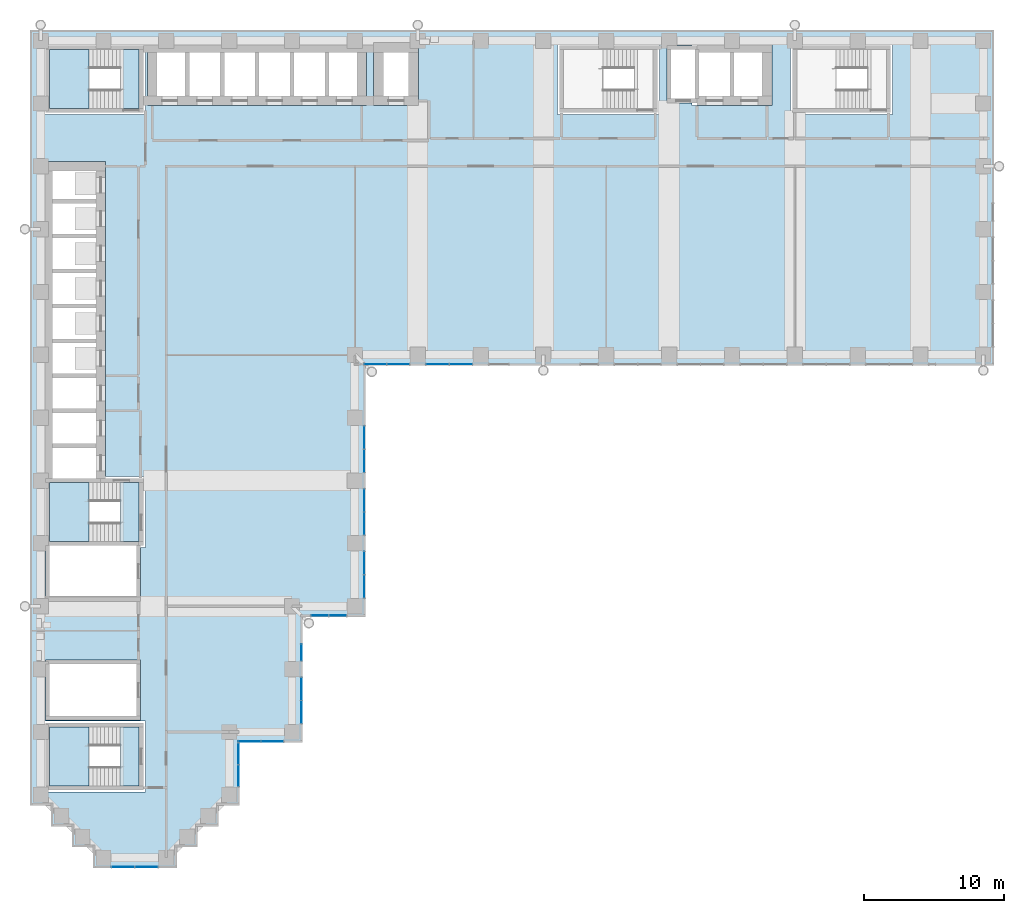
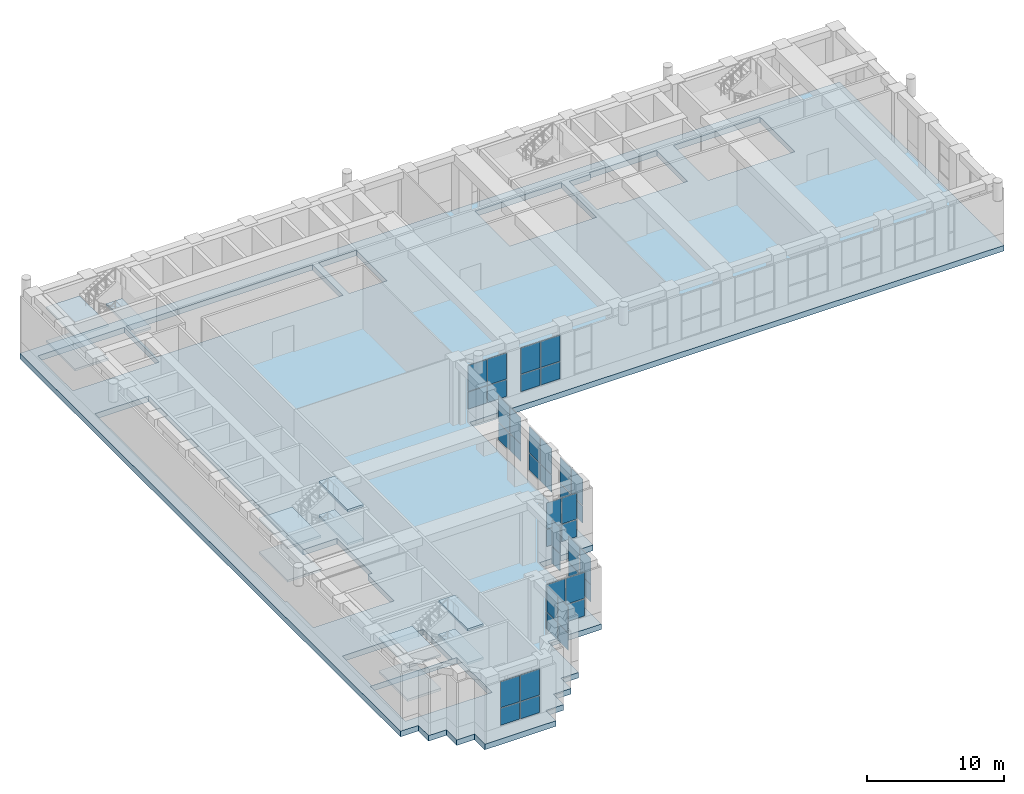
# One storey, part 10 of 22: 42 plates, 12 slabs, 14 elements without a shape of their own.
"""IFC4 building model written with IfcOpenShell, lengths in metres."""

from ifc_helpers import new_model, si_unit, direction, frame, origin, origin_2d, place, context, subcontext, project, spatial, polyline, rectangle, outline, extrude, material, layer, layer_set, type_object, element, aggregate, save


model = new_model("IFC4")

# Units and contexts
model_context = context("Model", 3, precision=1e-05, world=origin(), true_north=direction((0.0, 1.0)))
body_context = subcontext(model_context, "Body", "Model", "MODEL_VIEW")
ifc_project = project(units=[si_unit("LENGTHUNIT", "METRE"), si_unit("AREAUNIT", "SQUARE_METRE"), si_unit("VOLUMEUNIT", "CUBIC_METRE"), si_unit("PLANEANGLEUNIT", "RADIAN"), si_unit("MASSUNIT", "GRAM", prefix="KILO")], contexts=[model_context])

# Site, building, storey
site_placement = place(None, origin())
site = spatial("IfcSite", under=ifc_project, at=site_placement, CompositionType="ELEMENT")
building_placement = place(site_placement, origin())
building = spatial("IfcBuilding", under=site, at=building_placement, Name="Firuza Court", CompositionType="ELEMENT")
storey_placement = place(building_placement, frame((0.0, 0.0, 113.60009765625)))
storey = spatial("IfcBuildingStorey", under=building, at=storey_placement, Name="L28", CompositionType="ELEMENT", Elevation=113.60009765625)

# Slab
ifc_material_1 = material(Name="Concrete C40/50", Category="concrete")
ifc_layer_1 = layer(ifc_material_1, 0.5)
ifc_layer_set_1 = layer_set([ifc_layer_1], Name="Concrete C40/50")
slab_type_1 = type_object("IfcSlabType", Name="Floor slab 500 C40/50", PredefinedType="FLOOR", material=ifc_layer_set_1)
slab_1_placement = place(storey_placement, frame((0.0, 0.0, -0.5)))
element("IfcSlab", 1, at=slab_1_placement, inside=storey, type_object=slab_type_1, Name="Floor slab L28", PredefinedType="FLOOR", context=body_context, shape_type="SweptSolid", body=[
    extrude(outline(polyline([(3.75, -0.75), (3.75, 0.75), (2.25, 0.75), (2.25, 2.25), (0.75, 2.25), (0.75, 3.75), (-0.75, 3.75), (-0.75, 59.25), (68.25, 59.25), (68.25, 35.25), (23.25, 35.25), (23.25, 17.25), (18.75, 17.25), (18.75, 8.25), (14.25, 8.25), (14.25, 3.75), (12.75, 3.75), (12.75, 2.25), (11.25, 2.25), (11.25, 0.75), (9.75, 0.75), (9.75, -0.75), (3.75, -0.75)]), holes=[polyline([(7.14990234375, 14.14990234375), (0.35009765625, 14.14990234375), (0.35009765625, 9.85009765625), (7.14990234375, 9.85009765625), (7.14990234375, 14.14990234375)]), polyline([(0.199951171875, 26.64990234375), (0.199951171875, 22.199951171875), (0.35009765625, 22.199951171875), (0.35009765625, 18.35009765625), (7.14990234375, 18.35009765625), (7.14990234375, 22.199951171875), (7.5, 22.199951171875), (7.5, 27.300048828125), (4.64990234375, 27.300048828125), (4.64990234375, 29.14990234375), (4.64990234375, 29.85009765625), (4.64990234375, 31.64990234375), (4.64990234375, 32.35009765625), (4.64990234375, 34.14990234375), (4.64990234375, 34.85009765625), (4.64990234375, 36.64990234375), (4.64990234375, 37.35009765625), (4.64990234375, 39.14990234375), (4.64990234375, 39.85009765625), (4.64990234375, 41.64990234375), (4.64990234375, 42.35009765625), (4.64990234375, 44.14990234375), (4.64990234375, 44.85009765625), (4.64990234375, 46.64990234375), (4.64990234375, 47.35009765625), (4.64990234375, 49.85009765625), (0.14990234375, 49.85009765625), (0.14990234375, 47.35009765625), (0.14990234375, 46.64990234375), (0.14990234375, 44.85009765625), (0.14990234375, 44.14990234375), (0.14990234375, 42.35009765625), (0.14990234375, 41.64990234375), (0.14990234375, 39.85009765625), (0.14990234375, 39.14990234375), (0.14990234375, 37.35009765625), (0.14990234375, 36.64990234375), (0.14990234375, 34.85009765625), (0.14990234375, 34.14990234375), (0.14990234375, 32.35009765625), (0.14990234375, 31.64990234375), (0.14990234375, 29.85009765625), (0.14990234375, 29.14990234375), (0.14990234375, 26.64990234375), (0.199951171875, 26.64990234375)]), polyline([(7.5, 53.199951171875), (7.5, 58.300048828125), (0.199951171875, 58.300048828125), (0.199951171875, 53.199951171875), (7.5, 53.199951171875)]), polyline([(7.5, 9.800048828125), (0.199951171875, 9.800048828125), (0.199951171875, 4.699951171875), (7.5, 4.699951171875), (7.5, 9.800048828125)]), polyline([(44.300048828125, 53.199951171875), (44.300048828125, 58.300048828125), (37.0, 58.300048828125), (37.0, 53.199951171875), (44.300048828125, 53.199951171875)]), polyline([(61.0, 53.199951171875), (61.0, 58.300048828125), (53.699951171875, 58.300048828125), (53.699951171875, 53.199951171875), (61.0, 53.199951171875)]), polyline([(7.64990234375, 58.35009765625), (7.64990234375, 53.85009765625), (10.14990234375, 53.85009765625), (10.85009765625, 53.85009765625), (12.64990234375, 53.85009765625), (13.35009765625, 53.85009765625), (15.14990234375, 53.85009765625), (15.85009765625, 53.85009765625), (17.64990234375, 53.85009765625), (18.35009765625, 53.85009765625), (20.14990234375, 53.85009765625), (20.85009765625, 53.85009765625), (23.35009765625, 53.85009765625), (23.35009765625, 58.35009765625), (20.85009765625, 58.35009765625), (20.14990234375, 58.35009765625), (18.35009765625, 58.35009765625), (17.64990234375, 58.35009765625), (15.85009765625, 58.35009765625), (15.14990234375, 58.35009765625), (13.35009765625, 58.35009765625), (12.64990234375, 58.35009765625), (10.85009765625, 58.35009765625), (10.14990234375, 58.35009765625), (7.64990234375, 58.35009765625)]), polyline([(27.050048828125, 53.85009765625), (27.050048828125, 58.35009765625), (23.85009765625, 58.35009765625), (23.85009765625, 53.85009765625), (27.050048828125, 53.85009765625)]), polyline([(46.64990234375, 58.35009765625), (46.64990234375, 58.14990234375), (44.85009765625, 58.14990234375), (44.85009765625, 54.050048828125), (46.64990234375, 54.050048828125), (46.64990234375, 53.85009765625), (49.14990234375, 53.85009765625), (49.85009765625, 53.85009765625), (52.35009765625, 53.85009765625), (52.35009765625, 58.35009765625), (49.85009765625, 58.35009765625), (49.14990234375, 58.35009765625), (46.64990234375, 58.35009765625)])]), origin(), (0.0, 0.0, 1.0), 0.5),
])

# Curtain wall, plates
ifc_material_2 = material(Name="Aluminium curtain wall, triple clear glazing", Category="aluminium")
curtain_wall_type = type_object("IfcCurtainWallType", Name="Sky floor unitised curtain wall CW3", PredefinedType="NOTDEFINED", material=ifc_material_2)
curtain_wall_1_placement = place(storey_placement, origin())
curtain_wall_1 = element("IfcCurtainWall", 2, at=curtain_wall_1_placement, inside=storey, type_object=curtain_wall_type, Name="Sky floor unitised curtain wall CW3 L28", PredefinedType="NOTDEFINED")
ifc_material_3 = material(Name="Triple clear glazing", Category="glass")
ifc_layer_2 = layer(ifc_material_3, 0.031982421875)
ifc_layer_set_2 = layer_set([ifc_layer_2], Name="Triple clear glazing")
plate_type = type_object("IfcPlateType", Name="Glazed panel 32 CW3", PredefinedType="CURTAIN_PANEL", material=ifc_layer_set_2)
plate_1_placement = place(storey_placement, frame((14.169921875, 5.864990234375, 1.15966796875), z_axis=(0.0, 0.0, 1.0), x_axis=(0.0, 1.0, 0.0)))
plate_1 = element("IfcPlate", 3, at=plate_1_placement, type_object=plate_type, Name="CW3 panel 1.1", PredefinedType="CURTAIN_PANEL", context=body_context, shape_type="SweptSolid", body=[
    extrude(rectangle(XDim=1.510009765625, YDim=0.031982421875, at=origin_2d()), origin(), (0.0, 0.0, 1.0), 1.510009765625),
])
plate_2_placement = place(storey_placement, frame((14.169921875, 5.864990234375, 2.72998046875), z_axis=(0.0, 0.0, 1.0), x_axis=(0.0, 1.0, 0.0)))
plate_2 = element("IfcPlate", 4, at=plate_2_placement, type_object=plate_type, Name="CW3 panel 1.2", PredefinedType="CURTAIN_PANEL", context=body_context, shape_type="SweptSolid", body=[
    extrude(rectangle(XDim=1.510009765625, YDim=0.031982421875, at=origin_2d()), origin(), (0.0, 0.0, 1.0), 2.31005859375),
])
plate_3_placement = place(storey_placement, frame((14.169921875, 7.43505859375, 1.15966796875), z_axis=(0.0, 0.0, 1.0), x_axis=(0.0, 1.0, 0.0)))
plate_3 = element("IfcPlate", 5, at=plate_3_placement, type_object=plate_type, Name="CW3 panel 2.1", PredefinedType="CURTAIN_PANEL", context=body_context, shape_type="SweptSolid", body=[
    extrude(rectangle(XDim=1.510009765625, YDim=0.031982421875, at=origin_2d()), origin(), (0.0, 0.0, 1.0), 1.510009765625),
])
plate_4_placement = place(storey_placement, frame((14.169921875, 7.43505859375, 2.72998046875), z_axis=(0.0, 0.0, 1.0), x_axis=(0.0, 1.0, 0.0)))
plate_4 = element("IfcPlate", 6, at=plate_4_placement, type_object=plate_type, Name="CW3 panel 2.2", PredefinedType="CURTAIN_PANEL", context=body_context, shape_type="SweptSolid", body=[
    extrude(rectangle(XDim=1.510009765625, YDim=0.031982421875, at=origin_2d()), origin(), (0.0, 0.0, 1.0), 2.31005859375),
])
aggregate(curtain_wall_1, [plate_1, plate_2, plate_3, plate_4])

curtain_wall_2_placement = place(storey_placement, origin())
curtain_wall_2 = element("IfcCurtainWall", 7, at=curtain_wall_2_placement, inside=storey, type_object=curtain_wall_type, Name="Sky floor unitised curtain wall CW3 L28", PredefinedType="NOTDEFINED")
plate_5_placement = place(storey_placement, frame((14.952392578125, 8.330078125, 1.15966796875), z_axis=(0.0, 0.0, 1.0), x_axis=(1.0, 0.0, 0.0)))
plate_5 = element("IfcPlate", 8, at=plate_5_placement, type_object=plate_type, Name="CW3 panel 1.1", PredefinedType="CURTAIN_PANEL", context=body_context, shape_type="SweptSolid", body=[
    extrude(rectangle(XDim=1.5849609375, YDim=0.031982421875, at=origin_2d()), origin(), (0.0, 0.0, 1.0), 1.510009765625),
])
plate_6_placement = place(storey_placement, frame((14.952392578125, 8.330078125, 2.72998046875), z_axis=(0.0, 0.0, 1.0), x_axis=(1.0, 0.0, 0.0)))
plate_6 = element("IfcPlate", 9, at=plate_6_placement, type_object=plate_type, Name="CW3 panel 1.2", PredefinedType="CURTAIN_PANEL", context=body_context, shape_type="SweptSolid", body=[
    extrude(rectangle(XDim=1.5849609375, YDim=0.031982421875, at=origin_2d()), origin(), (0.0, 0.0, 1.0), 2.31005859375),
])
plate_7_placement = place(storey_placement, frame((16.597412109375, 8.330078125, 1.15966796875), z_axis=(0.0, 0.0, 1.0), x_axis=(1.0, 0.0, 0.0)))
plate_7 = element("IfcPlate", 10, at=plate_7_placement, type_object=plate_type, Name="CW3 panel 2.1", PredefinedType="CURTAIN_PANEL", context=body_context, shape_type="SweptSolid", body=[
    extrude(rectangle(XDim=1.5849609375, YDim=0.031982421875, at=origin_2d()), origin(), (0.0, 0.0, 1.0), 1.510009765625),
])
plate_8_placement = place(storey_placement, frame((16.597412109375, 8.330078125, 2.72998046875), z_axis=(0.0, 0.0, 1.0), x_axis=(1.0, 0.0, 0.0)))
plate_8 = element("IfcPlate", 11, at=plate_8_placement, type_object=plate_type, Name="CW3 panel 2.2", PredefinedType="CURTAIN_PANEL", context=body_context, shape_type="SweptSolid", body=[
    extrude(rectangle(XDim=1.5849609375, YDim=0.031982421875, at=origin_2d()), origin(), (0.0, 0.0, 1.0), 2.31005859375),
])
aggregate(curtain_wall_2, [plate_5, plate_6, plate_7, plate_8])

curtain_wall_3_placement = place(storey_placement, origin())
curtain_wall_3 = element("IfcCurtainWall", 12, at=curtain_wall_3_placement, inside=storey, type_object=curtain_wall_type, Name="Sky floor unitised curtain wall CW3 L28", PredefinedType="NOTDEFINED")
plate_9_placement = place(storey_placement, frame((18.669921875, 10.4150390625, 1.15966796875), z_axis=(0.0, 0.0, 1.0), x_axis=(0.0, 1.0, 0.0)))
plate_9 = element("IfcPlate", 13, at=plate_9_placement, type_object=plate_type, Name="CW3 panel 1.1", PredefinedType="CURTAIN_PANEL", context=body_context, shape_type="SweptSolid", body=[
    extrude(rectangle(XDim=1.610107421875, YDim=0.031982421875, at=origin_2d()), origin(), (0.0, 0.0, 1.0), 1.510009765625),
])
plate_10_placement = place(storey_placement, frame((18.669921875, 10.4150390625, 2.72998046875), z_axis=(0.0, 0.0, 1.0), x_axis=(0.0, 1.0, 0.0)))
plate_10 = element("IfcPlate", 14, at=plate_10_placement, type_object=plate_type, Name="CW3 panel 1.2", PredefinedType="CURTAIN_PANEL", context=body_context, shape_type="SweptSolid", body=[
    extrude(rectangle(XDim=1.610107421875, YDim=0.031982421875, at=origin_2d()), origin(), (0.0, 0.0, 1.0), 2.31005859375),
])
plate_11_placement = place(storey_placement, frame((18.669921875, 12.0849609375, 1.15966796875), z_axis=(0.0, 0.0, 1.0), x_axis=(0.0, 1.0, 0.0)))
plate_11 = element("IfcPlate", 15, at=plate_11_placement, type_object=plate_type, Name="CW3 panel 2.1", PredefinedType="CURTAIN_PANEL", context=body_context, shape_type="SweptSolid", body=[
    extrude(rectangle(XDim=1.610107421875, YDim=0.031982421875, at=origin_2d()), origin(), (0.0, 0.0, 1.0), 1.510009765625),
])
plate_12_placement = place(storey_placement, frame((18.669921875, 12.0849609375, 2.72998046875), z_axis=(0.0, 0.0, 1.0), x_axis=(0.0, 1.0, 0.0)))
plate_12 = element("IfcPlate", 16, at=plate_12_placement, type_object=plate_type, Name="CW3 panel 2.2", PredefinedType="CURTAIN_PANEL", context=body_context, shape_type="SweptSolid", body=[
    extrude(rectangle(XDim=1.610107421875, YDim=0.031982421875, at=origin_2d()), origin(), (0.0, 0.0, 1.0), 2.31005859375),
])
aggregate(curtain_wall_3, [plate_9, plate_10, plate_11, plate_12])

curtain_wall_4_placement = place(storey_placement, origin())
curtain_wall_4 = element("IfcCurtainWall", 17, at=curtain_wall_4_placement, inside=storey, type_object=curtain_wall_type, Name="Sky floor unitised curtain wall CW3 L28", PredefinedType="NOTDEFINED")
plate_13_placement = place(storey_placement, frame((18.669921875, 14.68896484375, 1.15966796875), z_axis=(0.0, 0.0, 1.0), x_axis=(0.0, 1.0, 0.0)))
plate_13 = element("IfcPlate", 18, at=plate_13_placement, type_object=plate_type, Name="CW3 panel 1.1", PredefinedType="CURTAIN_PANEL", context=body_context, shape_type="SweptSolid", body=[
    extrude(rectangle(XDim=1.15771484375, YDim=0.031982421875, at=origin_2d()), origin(), (0.0, 0.0, 1.0), 1.510009765625),
])
plate_14_placement = place(storey_placement, frame((18.669921875, 14.68896484375, 2.72998046875), z_axis=(0.0, 0.0, 1.0), x_axis=(0.0, 1.0, 0.0)))
plate_14 = element("IfcPlate", 19, at=plate_14_placement, type_object=plate_type, Name="CW3 panel 1.2", PredefinedType="CURTAIN_PANEL", context=body_context, shape_type="SweptSolid", body=[
    extrude(rectangle(XDim=1.15771484375, YDim=0.031982421875, at=origin_2d()), origin(), (0.0, 0.0, 1.0), 2.31005859375),
])
aggregate(curtain_wall_4, [plate_13, plate_14])

curtain_wall_5_placement = place(storey_placement, origin())
curtain_wall_5 = element("IfcCurtainWall", 20, at=curtain_wall_5_placement, inside=storey, type_object=curtain_wall_type, Name="Sky floor unitised curtain wall CW3 L28", PredefinedType="NOTDEFINED")
plate_15_placement = place(storey_placement, frame((19.9873046875, 17.330078125, 1.15966796875), z_axis=(0.0, 0.0, 1.0), x_axis=(1.0, 0.0, 0.0)))
plate_15 = element("IfcPlate", 21, at=plate_15_placement, type_object=plate_type, Name="CW3 panel 1.1", PredefinedType="CURTAIN_PANEL", context=body_context, shape_type="SweptSolid", body=[
    extrude(rectangle(XDim=1.228515625, YDim=0.031982421875, at=origin_2d()), origin(), (0.0, 0.0, 1.0), 1.510009765625),
])
plate_16_placement = place(storey_placement, frame((19.9873046875, 17.330078125, 2.72998046875), z_axis=(0.0, 0.0, 1.0), x_axis=(1.0, 0.0, 0.0)))
plate_16 = element("IfcPlate", 22, at=plate_16_placement, type_object=plate_type, Name="CW3 panel 1.2", PredefinedType="CURTAIN_PANEL", context=body_context, shape_type="SweptSolid", body=[
    extrude(rectangle(XDim=1.228515625, YDim=0.031982421875, at=origin_2d()), origin(), (0.0, 0.0, 1.0), 2.31005859375),
])
plate_17_placement = place(storey_placement, frame((21.275634765625, 17.330078125, 1.15966796875), z_axis=(0.0, 0.0, 1.0), x_axis=(1.0, 0.0, 0.0)))
plate_17 = element("IfcPlate", 23, at=plate_17_placement, type_object=plate_type, Name="CW3 panel 2.1", PredefinedType="CURTAIN_PANEL", context=body_context, shape_type="SweptSolid", body=[
    extrude(rectangle(XDim=1.228515625, YDim=0.031982421875, at=origin_2d()), origin(), (0.0, 0.0, 1.0), 1.510009765625),
])
plate_18_placement = place(storey_placement, frame((21.275634765625, 17.330078125, 2.72998046875), z_axis=(0.0, 0.0, 1.0), x_axis=(1.0, 0.0, 0.0)))
plate_18 = element("IfcPlate", 24, at=plate_18_placement, type_object=plate_type, Name="CW3 panel 2.2", PredefinedType="CURTAIN_PANEL", context=body_context, shape_type="SweptSolid", body=[
    extrude(rectangle(XDim=1.228515625, YDim=0.031982421875, at=origin_2d()), origin(), (0.0, 0.0, 1.0), 2.31005859375),
])
aggregate(curtain_wall_5, [plate_15, plate_16, plate_17, plate_18])

curtain_wall_6_placement = place(storey_placement, origin())
curtain_wall_6 = element("IfcCurtainWall", 25, at=curtain_wall_6_placement, inside=storey, type_object=curtain_wall_type, Name="Sky floor unitised curtain wall CW3 L28", PredefinedType="NOTDEFINED")
plate_19_placement = place(storey_placement, frame((23.169921875, 19.4150390625, 1.15966796875), z_axis=(0.0, 0.0, 1.0), x_axis=(0.0, 1.0, 0.0)))
plate_19 = element("IfcPlate", 26, at=plate_19_placement, type_object=plate_type, Name="CW3 panel 1.1", PredefinedType="CURTAIN_PANEL", context=body_context, shape_type="SweptSolid", body=[
    extrude(rectangle(XDim=1.610107421875, YDim=0.031982421875, at=origin_2d()), origin(), (0.0, 0.0, 1.0), 1.510009765625),
])
plate_20_placement = place(storey_placement, frame((23.169921875, 19.4150390625, 2.72998046875), z_axis=(0.0, 0.0, 1.0), x_axis=(0.0, 1.0, 0.0)))
plate_20 = element("IfcPlate", 27, at=plate_20_placement, type_object=plate_type, Name="CW3 panel 1.2", PredefinedType="CURTAIN_PANEL", context=body_context, shape_type="SweptSolid", body=[
    extrude(rectangle(XDim=1.610107421875, YDim=0.031982421875, at=origin_2d()), origin(), (0.0, 0.0, 1.0), 2.31005859375),
])
plate_21_placement = place(storey_placement, frame((23.169921875, 21.0849609375, 1.15966796875), z_axis=(0.0, 0.0, 1.0), x_axis=(0.0, 1.0, 0.0)))
plate_21 = element("IfcPlate", 28, at=plate_21_placement, type_object=plate_type, Name="CW3 panel 2.1", PredefinedType="CURTAIN_PANEL", context=body_context, shape_type="SweptSolid", body=[
    extrude(rectangle(XDim=1.610107421875, YDim=0.031982421875, at=origin_2d()), origin(), (0.0, 0.0, 1.0), 1.510009765625),
])
plate_22_placement = place(storey_placement, frame((23.169921875, 21.0849609375, 2.72998046875), z_axis=(0.0, 0.0, 1.0), x_axis=(0.0, 1.0, 0.0)))
plate_22 = element("IfcPlate", 29, at=plate_22_placement, type_object=plate_type, Name="CW3 panel 2.2", PredefinedType="CURTAIN_PANEL", context=body_context, shape_type="SweptSolid", body=[
    extrude(rectangle(XDim=1.610107421875, YDim=0.031982421875, at=origin_2d()), origin(), (0.0, 0.0, 1.0), 2.31005859375),
])
aggregate(curtain_wall_6, [plate_19, plate_20, plate_21, plate_22])

curtain_wall_7_placement = place(storey_placement, origin())
curtain_wall_7 = element("IfcCurtainWall", 30, at=curtain_wall_7_placement, inside=storey, type_object=curtain_wall_type, Name="Sky floor unitised curtain wall CW3 L28", PredefinedType="NOTDEFINED")
plate_23_placement = place(storey_placement, frame((23.169921875, 23.9150390625, 1.15966796875), z_axis=(0.0, 0.0, 1.0), x_axis=(0.0, 1.0, 0.0)))
plate_23 = element("IfcPlate", 31, at=plate_23_placement, type_object=plate_type, Name="CW3 panel 1.1", PredefinedType="CURTAIN_PANEL", context=body_context, shape_type="SweptSolid", body=[
    extrude(rectangle(XDim=1.610107421875, YDim=0.031982421875, at=origin_2d()), origin(), (0.0, 0.0, 1.0), 1.510009765625),
])
plate_24_placement = place(storey_placement, frame((23.169921875, 23.9150390625, 2.72998046875), z_axis=(0.0, 0.0, 1.0), x_axis=(0.0, 1.0, 0.0)))
plate_24 = element("IfcPlate", 32, at=plate_24_placement, type_object=plate_type, Name="CW3 panel 1.2", PredefinedType="CURTAIN_PANEL", context=body_context, shape_type="SweptSolid", body=[
    extrude(rectangle(XDim=1.610107421875, YDim=0.031982421875, at=origin_2d()), origin(), (0.0, 0.0, 1.0), 2.31005859375),
])
plate_25_placement = place(storey_placement, frame((23.169921875, 25.5849609375, 1.15966796875), z_axis=(0.0, 0.0, 1.0), x_axis=(0.0, 1.0, 0.0)))
plate_25 = element("IfcPlate", 33, at=plate_25_placement, type_object=plate_type, Name="CW3 panel 2.1", PredefinedType="CURTAIN_PANEL", context=body_context, shape_type="SweptSolid", body=[
    extrude(rectangle(XDim=1.610107421875, YDim=0.031982421875, at=origin_2d()), origin(), (0.0, 0.0, 1.0), 1.510009765625),
])
plate_26_placement = place(storey_placement, frame((23.169921875, 25.5849609375, 2.72998046875), z_axis=(0.0, 0.0, 1.0), x_axis=(0.0, 1.0, 0.0)))
plate_26 = element("IfcPlate", 34, at=plate_26_placement, type_object=plate_type, Name="CW3 panel 2.2", PredefinedType="CURTAIN_PANEL", context=body_context, shape_type="SweptSolid", body=[
    extrude(rectangle(XDim=1.610107421875, YDim=0.031982421875, at=origin_2d()), origin(), (0.0, 0.0, 1.0), 2.31005859375),
])
aggregate(curtain_wall_7, [plate_23, plate_24, plate_25, plate_26])

curtain_wall_8_placement = place(storey_placement, origin())
curtain_wall_8 = element("IfcCurtainWall", 35, at=curtain_wall_8_placement, inside=storey, type_object=curtain_wall_type, Name="Sky floor unitised curtain wall CW3 L28", PredefinedType="NOTDEFINED")
plate_27_placement = place(storey_placement, frame((23.169921875, 28.4150390625, 1.15966796875), z_axis=(0.0, 0.0, 1.0), x_axis=(0.0, 1.0, 0.0)))
plate_27 = element("IfcPlate", 36, at=plate_27_placement, type_object=plate_type, Name="CW3 panel 1.1", PredefinedType="CURTAIN_PANEL", context=body_context, shape_type="SweptSolid", body=[
    extrude(rectangle(XDim=1.610107421875, YDim=0.031982421875, at=origin_2d()), origin(), (0.0, 0.0, 1.0), 1.510009765625),
])
plate_28_placement = place(storey_placement, frame((23.169921875, 28.4150390625, 2.72998046875), z_axis=(0.0, 0.0, 1.0), x_axis=(0.0, 1.0, 0.0)))
plate_28 = element("IfcPlate", 37, at=plate_28_placement, type_object=plate_type, Name="CW3 panel 1.2", PredefinedType="CURTAIN_PANEL", context=body_context, shape_type="SweptSolid", body=[
    extrude(rectangle(XDim=1.610107421875, YDim=0.031982421875, at=origin_2d()), origin(), (0.0, 0.0, 1.0), 2.31005859375),
])
plate_29_placement = place(storey_placement, frame((23.169921875, 30.0849609375, 1.15966796875), z_axis=(0.0, 0.0, 1.0), x_axis=(0.0, 1.0, 0.0)))
plate_29 = element("IfcPlate", 38, at=plate_29_placement, type_object=plate_type, Name="CW3 panel 2.1", PredefinedType="CURTAIN_PANEL", context=body_context, shape_type="SweptSolid", body=[
    extrude(rectangle(XDim=1.610107421875, YDim=0.031982421875, at=origin_2d()), origin(), (0.0, 0.0, 1.0), 1.510009765625),
])
plate_30_placement = place(storey_placement, frame((23.169921875, 30.0849609375, 2.72998046875), z_axis=(0.0, 0.0, 1.0), x_axis=(0.0, 1.0, 0.0)))
plate_30 = element("IfcPlate", 39, at=plate_30_placement, type_object=plate_type, Name="CW3 panel 2.2", PredefinedType="CURTAIN_PANEL", context=body_context, shape_type="SweptSolid", body=[
    extrude(rectangle(XDim=1.610107421875, YDim=0.031982421875, at=origin_2d()), origin(), (0.0, 0.0, 1.0), 2.31005859375),
])
aggregate(curtain_wall_8, [plate_27, plate_28, plate_29, plate_30])

curtain_wall_9_placement = place(storey_placement, origin())
curtain_wall_9 = element("IfcCurtainWall", 40, at=curtain_wall_9_placement, inside=storey, type_object=curtain_wall_type, Name="Sky floor unitised curtain wall CW3 L28", PredefinedType="NOTDEFINED")
plate_31_placement = place(storey_placement, frame((23.952392578125, 35.330078125, 1.15966796875), z_axis=(0.0, 0.0, 1.0), x_axis=(1.0, 0.0, 0.0)))
plate_31 = element("IfcPlate", 41, at=plate_31_placement, type_object=plate_type, Name="CW3 panel 1.1", PredefinedType="CURTAIN_PANEL", context=body_context, shape_type="SweptSolid", body=[
    extrude(rectangle(XDim=1.5849609375, YDim=0.031982421875, at=origin_2d()), origin(), (0.0, 0.0, 1.0), 1.510009765625),
])
plate_32_placement = place(storey_placement, frame((23.952392578125, 35.330078125, 2.72998046875), z_axis=(0.0, 0.0, 1.0), x_axis=(1.0, 0.0, 0.0)))
plate_32 = element("IfcPlate", 42, at=plate_32_placement, type_object=plate_type, Name="CW3 panel 1.2", PredefinedType="CURTAIN_PANEL", context=body_context, shape_type="SweptSolid", body=[
    extrude(rectangle(XDim=1.5849609375, YDim=0.031982421875, at=origin_2d()), origin(), (0.0, 0.0, 1.0), 2.31005859375),
])
plate_33_placement = place(storey_placement, frame((25.597412109375, 35.330078125, 1.15966796875), z_axis=(0.0, 0.0, 1.0), x_axis=(1.0, 0.0, 0.0)))
plate_33 = element("IfcPlate", 43, at=plate_33_placement, type_object=plate_type, Name="CW3 panel 2.1", PredefinedType="CURTAIN_PANEL", context=body_context, shape_type="SweptSolid", body=[
    extrude(rectangle(XDim=1.5849609375, YDim=0.031982421875, at=origin_2d()), origin(), (0.0, 0.0, 1.0), 1.510009765625),
])
plate_34_placement = place(storey_placement, frame((25.597412109375, 35.330078125, 2.72998046875), z_axis=(0.0, 0.0, 1.0), x_axis=(1.0, 0.0, 0.0)))
plate_34 = element("IfcPlate", 44, at=plate_34_placement, type_object=plate_type, Name="CW3 panel 2.2", PredefinedType="CURTAIN_PANEL", context=body_context, shape_type="SweptSolid", body=[
    extrude(rectangle(XDim=1.5849609375, YDim=0.031982421875, at=origin_2d()), origin(), (0.0, 0.0, 1.0), 2.31005859375),
])
aggregate(curtain_wall_9, [plate_31, plate_32, plate_33, plate_34])

curtain_wall_10_placement = place(storey_placement, origin())
curtain_wall_10 = element("IfcCurtainWall", 45, at=curtain_wall_10_placement, inside=storey, type_object=curtain_wall_type, Name="Sky floor unitised curtain wall CW3 L28", PredefinedType="NOTDEFINED")
plate_35_placement = place(storey_placement, frame((28.4150390625, 35.330078125, 1.15966796875), z_axis=(0.0, 0.0, 1.0), x_axis=(1.0, 0.0, 0.0)))
plate_35 = element("IfcPlate", 46, at=plate_35_placement, type_object=plate_type, Name="CW3 panel 1.1", PredefinedType="CURTAIN_PANEL", context=body_context, shape_type="SweptSolid", body=[
    extrude(rectangle(XDim=1.610107421875, YDim=0.031982421875, at=origin_2d()), origin(), (0.0, 0.0, 1.0), 1.510009765625),
])
plate_36_placement = place(storey_placement, frame((28.4150390625, 35.330078125, 2.72998046875), z_axis=(0.0, 0.0, 1.0), x_axis=(1.0, 0.0, 0.0)))
plate_36 = element("IfcPlate", 47, at=plate_36_placement, type_object=plate_type, Name="CW3 panel 1.2", PredefinedType="CURTAIN_PANEL", context=body_context, shape_type="SweptSolid", body=[
    extrude(rectangle(XDim=1.610107421875, YDim=0.031982421875, at=origin_2d()), origin(), (0.0, 0.0, 1.0), 2.31005859375),
])
plate_37_placement = place(storey_placement, frame((30.0849609375, 35.330078125, 1.15966796875), z_axis=(0.0, 0.0, 1.0), x_axis=(1.0, 0.0, 0.0)))
plate_37 = element("IfcPlate", 48, at=plate_37_placement, type_object=plate_type, Name="CW3 panel 2.1", PredefinedType="CURTAIN_PANEL", context=body_context, shape_type="SweptSolid", body=[
    extrude(rectangle(XDim=1.610107421875, YDim=0.031982421875, at=origin_2d()), origin(), (0.0, 0.0, 1.0), 1.510009765625),
])
plate_38_placement = place(storey_placement, frame((30.0849609375, 35.330078125, 2.72998046875), z_axis=(0.0, 0.0, 1.0), x_axis=(1.0, 0.0, 0.0)))
plate_38 = element("IfcPlate", 49, at=plate_38_placement, type_object=plate_type, Name="CW3 panel 2.2", PredefinedType="CURTAIN_PANEL", context=body_context, shape_type="SweptSolid", body=[
    extrude(rectangle(XDim=1.610107421875, YDim=0.031982421875, at=origin_2d()), origin(), (0.0, 0.0, 1.0), 2.31005859375),
])
aggregate(curtain_wall_10, [plate_35, plate_36, plate_37, plate_38])

curtain_wall_11_placement = place(storey_placement, origin())
curtain_wall_11 = element("IfcCurtainWall", 50, at=curtain_wall_11_placement, inside=storey, type_object=curtain_wall_type, Name="Sky floor unitised curtain wall CW3 L28", PredefinedType="NOTDEFINED")
plate_39_placement = place(storey_placement, frame((5.9150390625, -0.669921875, 1.15966796875), z_axis=(0.0, 0.0, 1.0), x_axis=(1.0, 0.0, 0.0)))
plate_39 = element("IfcPlate", 51, at=plate_39_placement, type_object=plate_type, Name="CW3 panel 1.1", PredefinedType="CURTAIN_PANEL", context=body_context, shape_type="SweptSolid", body=[
    extrude(rectangle(XDim=1.610107421875, YDim=0.031982421875, at=origin_2d()), origin(), (0.0, 0.0, 1.0), 1.510009765625),
])
plate_40_placement = place(storey_placement, frame((5.9150390625, -0.669921875, 2.72998046875), z_axis=(0.0, 0.0, 1.0), x_axis=(1.0, 0.0, 0.0)))
plate_40 = element("IfcPlate", 52, at=plate_40_placement, type_object=plate_type, Name="CW3 panel 1.2", PredefinedType="CURTAIN_PANEL", context=body_context, shape_type="SweptSolid", body=[
    extrude(rectangle(XDim=1.610107421875, YDim=0.031982421875, at=origin_2d()), origin(), (0.0, 0.0, 1.0), 2.31005859375),
])
plate_41_placement = place(storey_placement, frame((7.5849609375, -0.669921875, 1.15966796875), z_axis=(0.0, 0.0, 1.0), x_axis=(1.0, 0.0, 0.0)))
plate_41 = element("IfcPlate", 53, at=plate_41_placement, type_object=plate_type, Name="CW3 panel 2.1", PredefinedType="CURTAIN_PANEL", context=body_context, shape_type="SweptSolid", body=[
    extrude(rectangle(XDim=1.610107421875, YDim=0.031982421875, at=origin_2d()), origin(), (0.0, 0.0, 1.0), 1.510009765625),
])
plate_42_placement = place(storey_placement, frame((7.5849609375, -0.669921875, 2.72998046875), z_axis=(0.0, 0.0, 1.0), x_axis=(1.0, 0.0, 0.0)))
plate_42 = element("IfcPlate", 54, at=plate_42_placement, type_object=plate_type, Name="CW3 panel 2.2", PredefinedType="CURTAIN_PANEL", context=body_context, shape_type="SweptSolid", body=[
    extrude(rectangle(XDim=1.610107421875, YDim=0.031982421875, at=origin_2d()), origin(), (0.0, 0.0, 1.0), 2.31005859375),
])
aggregate(curtain_wall_11, [plate_39, plate_40, plate_41, plate_42])

# Stair, slabs
ifc_material_4 = material(Name="Concrete C40/50 precast", Category="concrete")
stair_type = type_object("IfcStairType", Name="Stair 1350 x 6000 4 flights", PredefinedType="QUARTER_TURN_STAIR", material=ifc_material_4)
stair_1_placement = place(storey_placement, origin())
stair_1 = element("IfcStair", 55, at=stair_1_placement, inside=storey, type_object=stair_type, Name="Stair 2 L28", PredefinedType="QUARTER_TURN_STAIR")
ifc_material_5 = material(Name="Concrete C40/50 precast", Category="concrete")
ifc_layer_3 = layer(ifc_material_5, 0.199951171875)
ifc_layer_set_3 = layer_set([ifc_layer_3], Name="Concrete C40/50 precast")
slab_type_2 = type_object("IfcSlabType", Name="Stair landing 200", PredefinedType="LANDING", material=ifc_layer_set_3)
slab_2_placement = place(storey_placement, frame((0.0, 0.0, 1.2998046875)))
slab_2 = element("IfcSlab", 56, at=slab_2_placement, type_object=slab_type_2, Name="S2 landing 1", PredefinedType="LANDING", context=body_context, shape_type="SweptSolid", body=[
    extrude(outline(polyline([(3.4599609375, 22.64990234375), (3.4599609375, 26.85009765625), (0.64990234375, 26.85009765625), (0.64990234375, 22.64990234375), (3.4599609375, 22.64990234375)])), origin(), (0.0, 0.0, 1.0), 0.2001953125),
])
slab_3_placement = place(storey_placement, frame((0.0, 0.0, 2.7998046875)))
slab_3 = element("IfcSlab", 57, at=slab_3_placement, type_object=slab_type_2, Name="S2 landing 2", PredefinedType="LANDING", context=body_context, shape_type="SweptSolid", body=[
    extrude(outline(polyline([(7.050048828125, 22.64990234375), (7.050048828125, 26.85009765625), (5.699951171875, 26.85009765625), (5.699951171875, 22.64990234375), (7.050048828125, 22.64990234375)])), origin(), (0.0, 0.0, 1.0), 0.2001953125),
])
slab_4_placement = place(storey_placement, frame((0.0, 0.0, 4.2998046875)))
slab_4 = element("IfcSlab", 58, at=slab_4_placement, type_object=slab_type_2, Name="S2 landing 3", PredefinedType="LANDING", context=body_context, shape_type="SweptSolid", body=[
    extrude(outline(polyline([(3.4599609375, 22.64990234375), (3.4599609375, 26.85009765625), (0.64990234375, 26.85009765625), (0.64990234375, 22.64990234375), (3.4599609375, 22.64990234375)])), origin(), (0.0, 0.0, 1.0), 0.2001953125),
])
slab_5_placement = place(storey_placement, frame((0.0, 0.0, 5.7998046875)))
slab_5 = element("IfcSlab", 59, at=slab_5_placement, type_object=slab_type_2, Name="S2 landing 4", PredefinedType="LANDING", context=body_context, shape_type="SweptSolid", body=[
    extrude(outline(polyline([(7.050048828125, 22.64990234375), (7.050048828125, 26.85009765625), (5.699951171875, 26.85009765625), (5.699951171875, 22.64990234375), (7.050048828125, 22.64990234375)])), origin(), (0.0, 0.0, 1.0), 0.2001953125),
])
aggregate(stair_1, [slab_2, slab_3, slab_4, slab_5])

stair_2_placement = place(storey_placement, origin())
stair_2 = element("IfcStair", 60, at=stair_2_placement, inside=storey, type_object=stair_type, Name="Stair 3 L28", PredefinedType="QUARTER_TURN_STAIR")
slab_6_placement = place(storey_placement, frame((0.0, 0.0, 1.2998046875)))
slab_6 = element("IfcSlab", 61, at=slab_6_placement, type_object=slab_type_2, Name="S3 landing 1", PredefinedType="LANDING", context=body_context, shape_type="SweptSolid", body=[
    extrude(outline(polyline([(3.4599609375, 53.64990234375), (3.4599609375, 57.85009765625), (0.64990234375, 57.85009765625), (0.64990234375, 53.64990234375), (3.4599609375, 53.64990234375)])), origin(), (0.0, 0.0, 1.0), 0.2001953125),
])
slab_7_placement = place(storey_placement, frame((0.0, 0.0, 2.7998046875)))
slab_7 = element("IfcSlab", 62, at=slab_7_placement, type_object=slab_type_2, Name="S3 landing 2", PredefinedType="LANDING", context=body_context, shape_type="SweptSolid", body=[
    extrude(outline(polyline([(7.050048828125, 53.64990234375), (7.050048828125, 57.85009765625), (5.699951171875, 57.85009765625), (5.699951171875, 53.64990234375), (7.050048828125, 53.64990234375)])), origin(), (0.0, 0.0, 1.0), 0.2001953125),
])
slab_8_placement = place(storey_placement, frame((0.0, 0.0, 4.2998046875)))
slab_8 = element("IfcSlab", 63, at=slab_8_placement, type_object=slab_type_2, Name="S3 landing 3", PredefinedType="LANDING", context=body_context, shape_type="SweptSolid", body=[
    extrude(outline(polyline([(3.4599609375, 53.64990234375), (3.4599609375, 57.85009765625), (0.64990234375, 57.85009765625), (0.64990234375, 53.64990234375), (3.4599609375, 53.64990234375)])), origin(), (0.0, 0.0, 1.0), 0.2001953125),
])
aggregate(stair_2, [slab_6, slab_7, slab_8])

stair_3_placement = place(storey_placement, origin())
stair_3 = element("IfcStair", 64, at=stair_3_placement, inside=storey, type_object=stair_type, Name="Stair 5 L28", PredefinedType="QUARTER_TURN_STAIR")
slab_9_placement = place(storey_placement, frame((0.0, 0.0, 1.2998046875)))
slab_9 = element("IfcSlab", 65, at=slab_9_placement, type_object=slab_type_2, Name="S5 landing 1", PredefinedType="LANDING", context=body_context, shape_type="SweptSolid", body=[
    extrude(outline(polyline([(3.4599609375, 5.14990234375), (3.4599609375, 9.35009765625), (0.64990234375, 9.35009765625), (0.64990234375, 5.14990234375), (3.4599609375, 5.14990234375)])), origin(), (0.0, 0.0, 1.0), 0.2001953125),
])
slab_10_placement = place(storey_placement, frame((0.0, 0.0, 2.7998046875)))
slab_10 = element("IfcSlab", 66, at=slab_10_placement, type_object=slab_type_2, Name="S5 landing 2", PredefinedType="LANDING", context=body_context, shape_type="SweptSolid", body=[
    extrude(outline(polyline([(7.050048828125, 5.14990234375), (7.050048828125, 9.35009765625), (5.699951171875, 9.35009765625), (5.699951171875, 5.14990234375), (7.050048828125, 5.14990234375)])), origin(), (0.0, 0.0, 1.0), 0.2001953125),
])
slab_11_placement = place(storey_placement, frame((0.0, 0.0, 4.2998046875)))
slab_11 = element("IfcSlab", 67, at=slab_11_placement, type_object=slab_type_2, Name="S5 landing 3", PredefinedType="LANDING", context=body_context, shape_type="SweptSolid", body=[
    extrude(outline(polyline([(3.4599609375, 5.14990234375), (3.4599609375, 9.35009765625), (0.64990234375, 9.35009765625), (0.64990234375, 5.14990234375), (3.4599609375, 5.14990234375)])), origin(), (0.0, 0.0, 1.0), 0.2001953125),
])
slab_12_placement = place(storey_placement, frame((0.0, 0.0, 5.7998046875)))
slab_12 = element("IfcSlab", 68, at=slab_12_placement, type_object=slab_type_2, Name="S5 landing 4", PredefinedType="LANDING", context=body_context, shape_type="SweptSolid", body=[
    extrude(outline(polyline([(7.050048828125, 5.14990234375), (7.050048828125, 9.35009765625), (5.699951171875, 9.35009765625), (5.699951171875, 5.14990234375), (7.050048828125, 5.14990234375)])), origin(), (0.0, 0.0, 1.0), 0.2001953125),
])
aggregate(stair_3, [slab_9, slab_10, slab_11, slab_12])

save(model, "model.ifc")
